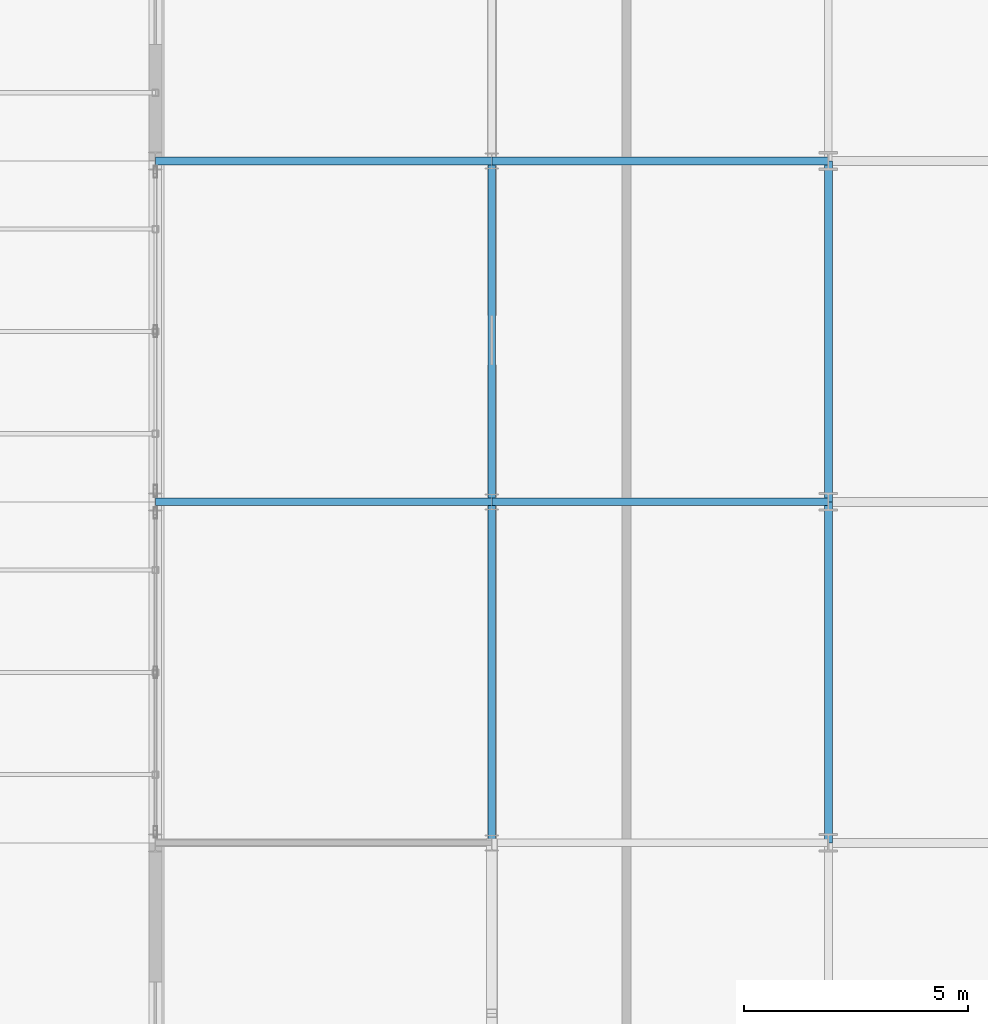
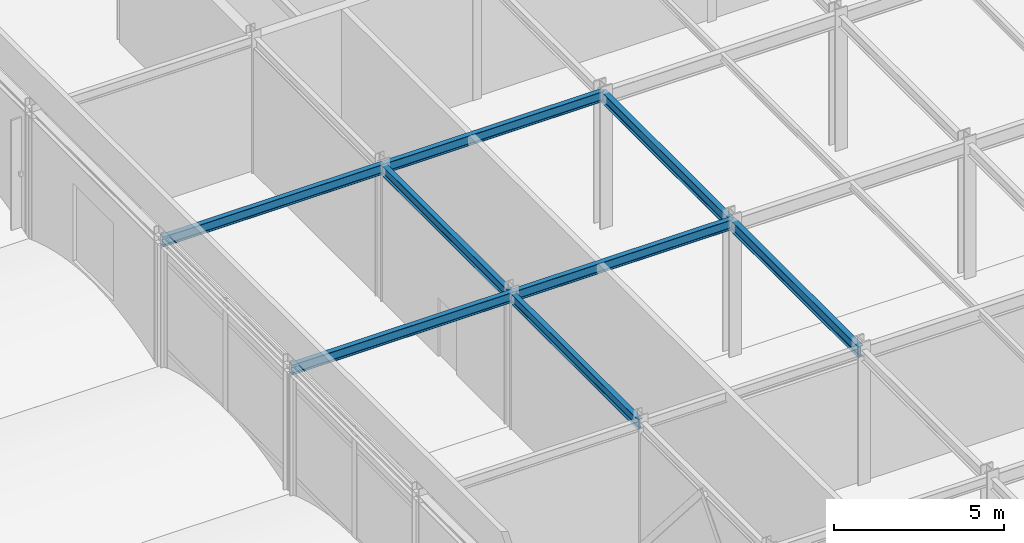
# One storey, part 19 of 79: 8 beams.
"""IFC4 building model written with IfcOpenShell, lengths in metres."""

from ifc_helpers import new_model, si_unit, direction, frame, origin, origin_2d, place, context, subcontext, project, spatial, i_section, extrude, material, material_profile, profile_set, type_object, element, save


model = new_model("IFC4")

# Units and contexts
model_context = context("Model", 3, precision=1e-05, world=origin(), true_north=direction((0.0, 1.0)))
body_context = subcontext(model_context, "Body", "Model", "MODEL_VIEW")
ifc_project = project(units=[si_unit("LENGTHUNIT", "METRE"), si_unit("AREAUNIT", "SQUARE_METRE"), si_unit("VOLUMEUNIT", "CUBIC_METRE"), si_unit("PLANEANGLEUNIT", "RADIAN"), si_unit("MASSUNIT", "GRAM", prefix="KILO")], contexts=[model_context])

# Site, building, storey
site_placement = place(None, origin())
site = spatial("IfcSite", under=ifc_project, at=site_placement, CompositionType="ELEMENT")
building_placement = place(site_placement, origin())
building = spatial("IfcBuilding", under=site, at=building_placement, Name="Shalkamar Park Central Library", CompositionType="ELEMENT")
storey_placement = place(building_placement, frame((0.0, 0.0, 10.5)))
storey = spatial("IfcBuildingStorey", under=building, at=storey_placement, Name="L03", CompositionType="ELEMENT", Elevation=10.5)

# Beams
ifc_material = material(Name="Steel S355", Category="steel")
ifc_material_profile_1 = material_profile(ifc_material, i_section(OverallWidth=0.169921875, OverallDepth=0.360107421875, WebThickness=0.008056640625, FlangeThickness=0.0126953125, FilletRadius=0.01806640625, at=origin_2d()), Name="IPE 360")
ifc_profile_set_1 = profile_set([ifc_material_profile_1], Name="Steel S355")
beam_type_1 = type_object("IfcBeamType", Name="Primary Girder IPE360", PredefinedType="BEAM", material=ifc_profile_set_1)
for number, where, z_axis, x_axis, name in (
    (1, (150.0, 285.60009765625, 4.659912109375), (1.0, 0.0, 0.0), (0.0, 1.0, 0.0), "Beam G:05-06 (L03)"),
    (2, (157.5, 285.60009765625, 4.659912109375), (1.0, 0.0, 0.0), (0.0, 1.0, 0.0), "Beam G:06-07 (L03)"),
    (3, (150.0, 293.199951171875, 4.659912109375), (1.0, 0.0, 0.0), (0.0, 1.0, 0.0), "Beam H:05-06 (L03)"),
    (4, (157.5, 293.199951171875, 4.659912109375), (1.0, 0.0, 0.0), (0.0, 1.0, 0.0), "Beam H:06-07 (L03)"),
):
    element("IfcBeam", number, at=place(storey_placement, frame(where, z_axis=z_axis, x_axis=x_axis)), inside=storey, type_object=beam_type_1, Name=name, PredefinedType="BEAM", context=body_context, shape_type="SweptSolid", body=[
        extrude(i_section(OverallWidth=0.169921875, OverallDepth=0.360107421875, WebThickness=0.008056640625, FlangeThickness=0.0126953125, FilletRadius=0.01806640625, at=origin_2d()), origin(), (0.0, 0.0, 1.0), 7.5),
    ])
beam_1_placement = place(storey_placement, frame((157.5, 278.0, 4.659912109375), z_axis=(0.0, 1.0, 0.0), x_axis=(-1.0, 0.0, 0.0)))
element("IfcBeam", 5, at=beam_1_placement, inside=storey, type_object=beam_type_1, Name="Beam 06:F-G (L03)", PredefinedType="BEAM", context=body_context, shape_type="SweptSolid", body=[
    extrude(i_section(OverallWidth=0.169921875, OverallDepth=0.360107421875, WebThickness=0.008056640625, FlangeThickness=0.0126953125, FilletRadius=0.01806640625, at=origin_2d()), origin(), (0.0, 0.0, 1.0), 7.60009765625),
])
beam_2_placement = place(storey_placement, frame((157.5, 285.60009765625, 4.659912109375), z_axis=(0.0, 1.0, 0.0), x_axis=(-1.0, 0.0, 0.0)))
element("IfcBeam", 6, at=beam_2_placement, inside=storey, type_object=beam_type_1, Name="Beam 06:G-H (L03)", PredefinedType="BEAM", context=body_context, shape_type="SweptSolid", body=[
    extrude(i_section(OverallWidth=0.169921875, OverallDepth=0.360107421875, WebThickness=0.008056640625, FlangeThickness=0.0126953125, FilletRadius=0.01806640625, at=origin_2d()), origin(), (0.0, 0.0, 1.0), 7.599853515625),
])
ifc_material_profile_2 = material_profile(ifc_material, i_section(OverallWidth=0.179931640625, OverallDepth=0.39990234375, WebThickness=0.008544921875, FlangeThickness=0.013427734375, FilletRadius=0.02099609375, at=origin_2d()), Name="IPE 400")
ifc_profile_set_2 = profile_set([ifc_material_profile_2], Name="Steel S355")
beam_type_2 = type_object("IfcBeamType", Name="Primary Girder IPE400", PredefinedType="BEAM", material=ifc_profile_set_2)
beam_3_placement = place(storey_placement, frame((165.0, 278.0, 4.639892578125), z_axis=(0.0, 1.0, 0.0), x_axis=(-1.0, 0.0, 0.0)))
element("IfcBeam", 7, at=beam_3_placement, inside=storey, type_object=beam_type_2, Name="Beam 07:F-G (L03)", PredefinedType="BEAM", context=body_context, shape_type="SweptSolid", body=[
    extrude(i_section(OverallWidth=0.179931640625, OverallDepth=0.39990234375, WebThickness=0.008544921875, FlangeThickness=0.013427734375, FilletRadius=0.02099609375, at=origin_2d()), origin(), (0.0, 0.0, 1.0), 7.60009765625),
])
beam_4_placement = place(storey_placement, frame((165.0, 285.60009765625, 4.639892578125), z_axis=(0.0, 1.0, 0.0), x_axis=(-1.0, 0.0, 0.0)))
element("IfcBeam", 8, at=beam_4_placement, inside=storey, type_object=beam_type_2, Name="Beam 07:G-H (L03)", PredefinedType="BEAM", context=body_context, shape_type="SweptSolid", body=[
    extrude(i_section(OverallWidth=0.179931640625, OverallDepth=0.39990234375, WebThickness=0.008544921875, FlangeThickness=0.013427734375, FilletRadius=0.02099609375, at=origin_2d()), origin(), (0.0, 0.0, 1.0), 7.599853515625),
])

save(model, "model.ifc")
